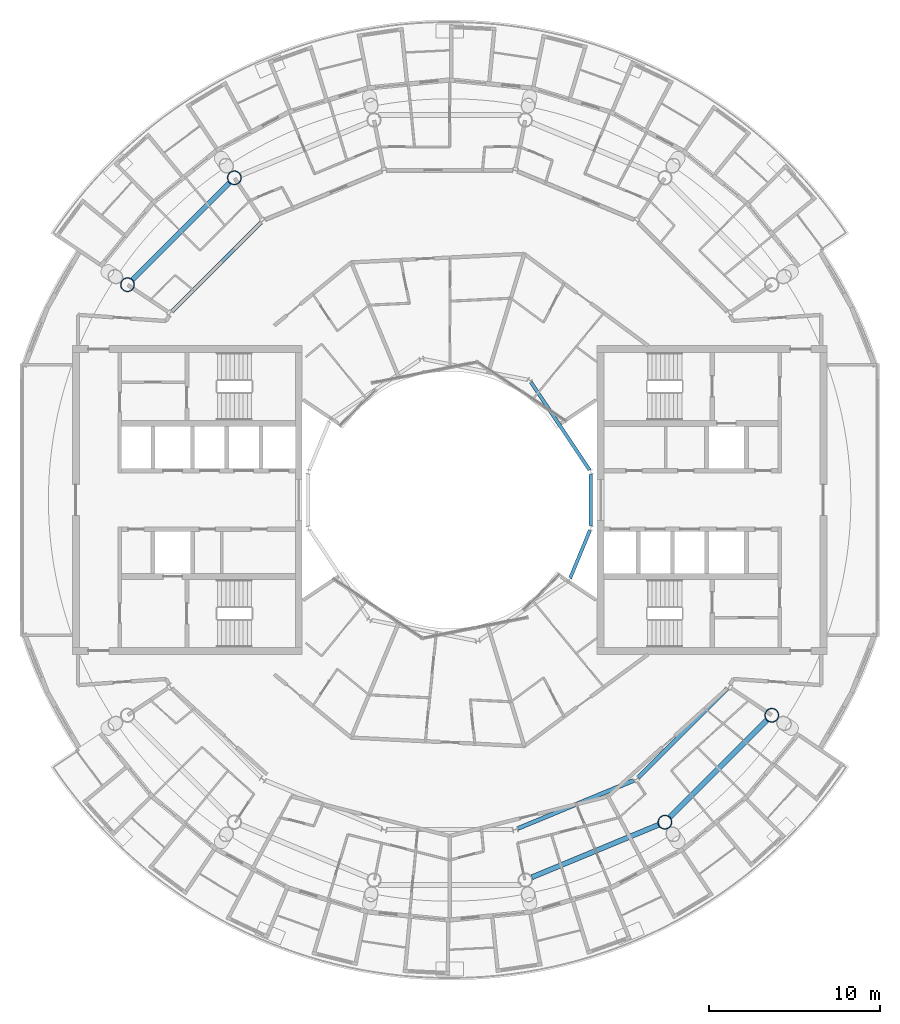
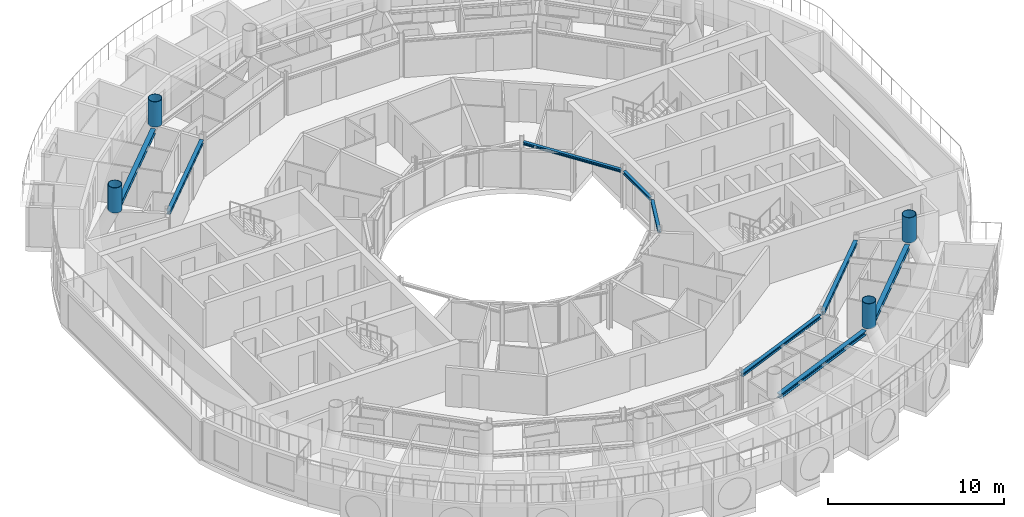
# One storey, part 7 of 25: 9 beams, 4 members.
"""IFC4 building model written with IfcOpenShell, lengths in metres."""

from ifc_helpers import new_model, si_unit, direction, frame, origin, origin_2d, place, context, subcontext, project, spatial, hollow_circle, i_section, extrude, material, material_profile, profile_set, type_object, element, save


model = new_model("IFC4")

# Units and contexts
model_context = context("Model", 3, precision=1e-05, world=origin(), true_north=direction((0.0, 1.0)))
body_context = subcontext(model_context, "Body", "Model", "MODEL_VIEW")
ifc_project = project(units=[si_unit("LENGTHUNIT", "METRE"), si_unit("AREAUNIT", "SQUARE_METRE"), si_unit("VOLUMEUNIT", "CUBIC_METRE"), si_unit("PLANEANGLEUNIT", "RADIAN"), si_unit("MASSUNIT", "GRAM", prefix="KILO")], contexts=[model_context])

# Site, building, storey
site_placement = place(None, origin())
site = spatial("IfcSite", under=ifc_project, at=site_placement, CompositionType="ELEMENT")
building_placement = place(site_placement, origin())
building = spatial("IfcBuilding", under=site, at=building_placement, Name="Maasbend Ring Residences", CompositionType="ELEMENT")
storey_placement = place(building_placement, frame((0.0, 0.0, 246.25)))
storey = spatial("IfcBuildingStorey", under=building, at=storey_placement, Name="L71", CompositionType="ELEMENT", Elevation=246.25)

# Members
ifc_material_1 = material(Name="Steel S460NH", Category="steel")
ifc_material_profile_1 = material_profile(ifc_material_1, hollow_circle(Radius=0.406494140625, WallThickness=0.030029296875, at=origin_2d()), Name="Column node insert CHS 813x30")
ifc_profile_set_1 = profile_set([ifc_material_profile_1], Name="Steel S460NH")
member_type = type_object("IfcMemberType", Name="Column node insert CHS 813x30", PredefinedType="POST", material=ifc_profile_set_1)
for number, where, z_axis, x_axis, name in (
    (1, (-12.555908203125, 18.791259765625, 2.80029296875), (0.0, 0.0, 1.0), (1.0, 0.0, 0.0), "Column node insert R6"),
    (2, (-18.791259765625, 12.555908203125, 2.80029296875), (0.0, 0.0, 1.0), (1.0, 0.0, 0.0), "Column node insert R7"),
    (3, (12.555908203125, -18.791259765625, 2.80029296875), (0.0, 0.0, 1.0), (1.0, 0.0, 0.0), "Column node insert R14"),
    (4, (18.791259765625, -12.555908203125, 2.80029296875), (0.0, 0.0, 1.0), (1.0, 0.0, 0.0), "Column node insert R15"),
):
    element("IfcMember", number, at=place(storey_placement, frame(where, z_axis=z_axis, x_axis=x_axis)), inside=storey, type_object=member_type, Name=name, PredefinedType="POST", context=body_context, shape_type="SweptSolid", body=[
        extrude(hollow_circle(Radius=0.406494140625, WallThickness=0.030029296875, at=origin_2d()), origin(), (0.0, 0.0, 1.0), 1.749755859375),
    ])

# Beams
ifc_material_2 = material(Name="Steel S355J2", Category="steel")
ifc_material_profile_2 = material_profile(ifc_material_2, i_section(OverallWidth=0.239990234375, OverallDepth=0.22998046875, WebThickness=0.007568359375, FlangeThickness=0.011962890625, FilletRadius=0.02099609375, at=origin_2d()), Name="HEA 240")
ifc_profile_set_2 = profile_set([ifc_material_profile_2], Name="Steel S355J2")
beam_type_1 = type_object("IfcBeamType", Name="Corridor ring beam HEA 240", PredefinedType="BEAM", material=ifc_profile_set_2)
beam_1_placement = place(storey_placement, frame((-10.997314453125, 16.188720703125, 2.5849609375), z_axis=(-0.707106781187, -0.707106781187, 0.0), x_axis=(0.707106781187, -0.707106781187, 0.0)))
element("IfcBeam", 5, at=beam_1_placement, inside=storey, type_object=beam_type_1, Name="Corridor ring beam", PredefinedType="BEAM", context=body_context, shape_type="SweptSolid", body=[
    extrude(i_section(OverallWidth=0.239990234375, OverallDepth=0.22998046875, WebThickness=0.007568359375, FlangeThickness=0.011962890625, FilletRadius=0.02099609375, at=origin_2d()), origin(), (0.0, 0.0, 1.0), 7.341796875),
])
beam_2_placement = place(storey_placement, frame((3.965087890625, -19.164794921875, 2.5849609375), z_axis=(0.923875784142, 0.382692481603, 0.0), x_axis=(-0.382692481603, 0.923875784142, 0.0)))
element("IfcBeam", 6, at=beam_2_placement, inside=storey, type_object=beam_type_1, Name="Corridor ring beam", PredefinedType="BEAM", context=body_context, shape_type="SweptSolid", body=[
    extrude(i_section(OverallWidth=0.239990234375, OverallDepth=0.22998046875, WebThickness=0.007568359375, FlangeThickness=0.011962890625, FilletRadius=0.02099609375, at=origin_2d()), origin(), (0.0, 0.0, 1.0), 7.341552734375),
])
beam_3_placement = place(storey_placement, frame((10.997314453125, -16.188720703125, 2.5849609375), z_axis=(0.707106781187, 0.707106781187, 0.0), x_axis=(-0.707106781187, 0.707106781187, 0.0)))
element("IfcBeam", 7, at=beam_3_placement, inside=storey, type_object=beam_type_1, Name="Corridor ring beam", PredefinedType="BEAM", context=body_context, shape_type="SweptSolid", body=[
    extrude(i_section(OverallWidth=0.239990234375, OverallDepth=0.22998046875, WebThickness=0.007568359375, FlangeThickness=0.011962890625, FilletRadius=0.02099609375, at=origin_2d()), origin(), (0.0, 0.0, 1.0), 7.341796875),
])
ifc_material_3 = material(Name="Steel S355J2", Category="steel")
ifc_material_profile_3 = material_profile(ifc_material_3, i_section(OverallWidth=0.300048828125, OverallDepth=0.300048828125, WebThickness=0.010986328125, FlangeThickness=0.01904296875, FilletRadius=0.027099609375, at=origin_2d()), Name="HEB 300")
ifc_profile_set_3 = profile_set([ifc_material_profile_3], Name="Steel S355J2")
beam_type_2 = type_object("IfcBeamType", Name="Spandrel ring beam HEB 300", PredefinedType="SPANDREL", material=ifc_profile_set_3)
beam_4_placement = place(storey_placement, frame((-12.84326171875, 18.50390625, 2.550048828125), z_axis=(-0.707106781187, -0.707106781187, 0.0), x_axis=(0.707106781187, -0.707106781187, 0.0)))
element("IfcBeam", 8, at=beam_4_placement, inside=storey, type_object=beam_type_2, Name="Spandrel ring beam", PredefinedType="SPANDREL", context=body_context, shape_type="SweptSolid", body=[
    extrude(i_section(OverallWidth=0.300048828125, OverallDepth=0.300048828125, WebThickness=0.010986328125, FlangeThickness=0.01904296875, FilletRadius=0.027099609375, at=origin_2d()), origin(), (0.0, 0.0, 1.0), 8.00537109375),
])
beam_5_placement = place(storey_placement, frame((4.78466796875, -22.010009765625, 2.550048828125), z_axis=(0.923887850638, 0.382663350013, 0.0), x_axis=(-0.382663350013, 0.923887850638, 0.0)))
element("IfcBeam", 9, at=beam_5_placement, inside=storey, type_object=beam_type_2, Name="Spandrel ring beam", PredefinedType="SPANDREL", context=body_context, shape_type="SweptSolid", body=[
    extrude(i_section(OverallWidth=0.300048828125, OverallDepth=0.300048828125, WebThickness=0.010986328125, FlangeThickness=0.01904296875, FilletRadius=0.027099609375, at=origin_2d()), origin(), (0.0, 0.0, 1.0), 8.005126953125),
])
beam_6_placement = place(storey_placement, frame((12.84326171875, -18.50390625, 2.550048828125), z_axis=(0.707106781187, 0.707106781187, 0.0), x_axis=(-0.707106781187, 0.707106781187, 0.0)))
element("IfcBeam", 10, at=beam_6_placement, inside=storey, type_object=beam_type_2, Name="Spandrel ring beam", PredefinedType="SPANDREL", context=body_context, shape_type="SweptSolid", body=[
    extrude(i_section(OverallWidth=0.300048828125, OverallDepth=0.300048828125, WebThickness=0.010986328125, FlangeThickness=0.01904296875, FilletRadius=0.027099609375, at=origin_2d()), origin(), (0.0, 0.0, 1.0), 8.00537109375),
])
ifc_material_4 = material(Name="Steel S355J2", Category="steel")
ifc_material_profile_4 = material_profile(ifc_material_4, i_section(OverallWidth=0.199951171875, OverallDepth=0.18994140625, WebThickness=0.006591796875, FlangeThickness=0.010009765625, FilletRadius=0.01806640625, at=origin_2d()), Name="HEA 200")
ifc_profile_set_4 = profile_set([ifc_material_profile_4], Name="Steel S355J2")
beam_type_3 = type_object("IfcBeamType", Name="Well edge beam HEA 200", PredefinedType="BEAM", material=ifc_profile_set_4)
beam_7_placement = place(storey_placement, frame((8.16943359375, 1.7421875, 2.60498046875), z_axis=(-0.555547729421, 0.831484648286, 0.0), x_axis=(-0.831484648286, -0.555547729421, 0.0)))
element("IfcBeam", 11, at=beam_7_placement, inside=storey, type_object=beam_type_3, Name="Well edge beam", PredefinedType="BEAM", context=body_context, shape_type="SweptSolid", body=[
    extrude(i_section(OverallWidth=0.199951171875, OverallDepth=0.18994140625, WebThickness=0.006591796875, FlangeThickness=0.010009765625, FilletRadius=0.01806640625, at=origin_2d()), origin(), (0.0, 0.0, 1.0), 6.18017578125),
])
for number, where, z_axis, x_axis, name in (
    (12, (7.029296875, -4.55859375, 2.60498046875), (0.382609241817, 0.923910259753, 0.0), (-0.923910259753, 0.382609241817, 0.0), "Well edge beam"),
    (13, (8.238525390625, -1.521484375, 2.60498046875), (0.0, 1.0, 0.0), (-1.0, 0.0, 0.0), "Well edge beam"),
):
    element("IfcBeam", number, at=place(storey_placement, frame(where, z_axis=z_axis, x_axis=x_axis)), inside=storey, type_object=beam_type_3, Name=name, PredefinedType="BEAM", context=body_context, shape_type="SweptSolid", body=[
        extrude(i_section(OverallWidth=0.199951171875, OverallDepth=0.18994140625, WebThickness=0.006591796875, FlangeThickness=0.010009765625, FilletRadius=0.01806640625, at=origin_2d()), origin(), (0.0, 0.0, 1.0), 3.04296875),
    ])

save(model, "model.ifc")
